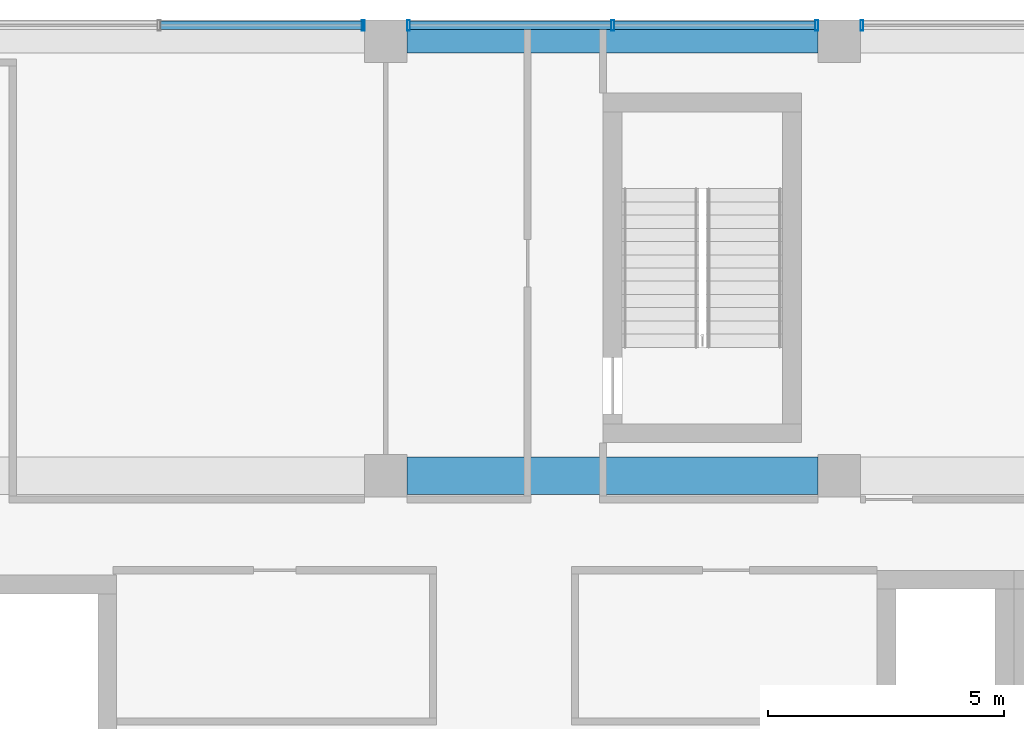
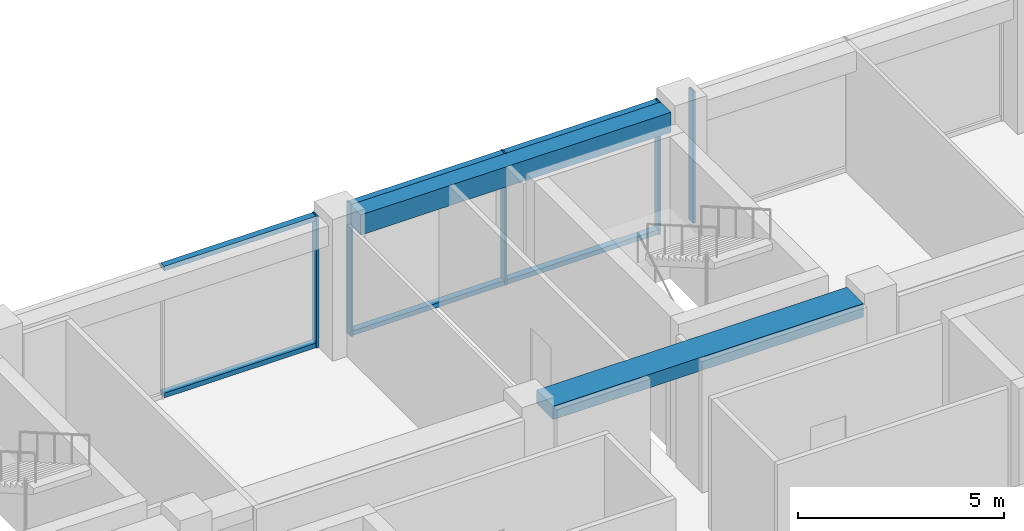
# One storey, part 23 of 38: 11 members, 2 beams, 3 elements without a shape of their own.
"""IFC4 building model written with IfcOpenShell, lengths in metres."""

from ifc_helpers import new_model, si_unit, direction, frame, origin, origin_2d, place, context, subcontext, project, spatial, rectangle, hollow_rectangle, extrude, material, layer, layer_set, material_profile, profile_set, type_object, element, aggregate, save


model = new_model("IFC4")

# Units and contexts
model_context = context("Model", 3, precision=1e-05, world=origin(), true_north=direction((0.0, 1.0)))
body_context = subcontext(model_context, "Body", "Model", "MODEL_VIEW")
ifc_project = project(units=[si_unit("LENGTHUNIT", "METRE"), si_unit("AREAUNIT", "SQUARE_METRE"), si_unit("VOLUMEUNIT", "CUBIC_METRE"), si_unit("PLANEANGLEUNIT", "RADIAN"), si_unit("MASSUNIT", "GRAM", prefix="KILO")], contexts=[model_context])

# Site, building, storey
site_placement = place(None, origin())
site = spatial("IfcSite", under=ifc_project, at=site_placement, CompositionType="ELEMENT")
building_placement = place(site_placement, origin())
building = spatial("IfcBuilding", under=site, at=building_placement, Name="Nzadi Deep Aquarium and Research Tower", CompositionType="ELEMENT")
storey_placement = place(building_placement, frame((0.0, 0.0, 48.699951171875)))
storey = spatial("IfcBuildingStorey", under=building, at=storey_placement, Name="L09", CompositionType="ELEMENT", Elevation=48.699951171875)

# Curtain wall, member
ifc_material_1 = material(Name="Aluminium unitised frame deep", Category="aluminium")
ifc_layer = layer(ifc_material_1, 0.22509765625)
ifc_layer_set = layer_set([ifc_layer], Name="Aluminium unitised frame deep")
curtain_wall_type = type_object("IfcCurtainWallType", Name="Curtain wall Unitised Deep 225", PredefinedType="NOTDEFINED", material=ifc_layer_set)
curtain_wall_1_placement = place(storey_placement, origin())
curtain_wall_1 = element("IfcCurtainWall", 1, at=curtain_wall_1_placement, inside=storey, type_object=curtain_wall_type, Name="Unitised curtain wall blade B north L09", PredefinedType="NOTDEFINED")
ifc_material_2 = material(Name="Aluminium unitised frame deep", Category="aluminium")
ifc_material_profile_1 = material_profile(ifc_material_2, hollow_rectangle(XDim=0.22509765625, YDim=0.06005859375, WallThickness=0.0048828125, at=origin_2d()))
ifc_profile_set_1 = profile_set([ifc_material_profile_1], Name="Aluminium unitised frame deep")
member_type_1 = type_object("IfcMemberType", Name="Mullion 60x225 Unitised Deep", PredefinedType="MULLION", material=ifc_profile_set_1)
member_1_placement = place(storey_placement, frame((18.719970703125, 46.33740234375, 0.0), z_axis=(0.0, 0.0, 1.0), x_axis=(0.0, 1.0, 0.0)))
member_1 = element("IfcMember", 2, at=member_1_placement, type_object=member_type_1, Name="CW124 mullion 3", PredefinedType="MULLION", context=body_context, shape_type="SweptSolid", body=[
    extrude(hollow_rectangle(XDim=0.22509765625, YDim=0.06005859375, WallThickness=0.0048828125, at=origin_2d()), origin(), (0.0, 0.0, 1.0), 3.900146484375),
])

# Curtain wall, members
curtain_wall_2_placement = place(storey_placement, origin())
curtain_wall_2 = element("IfcCurtainWall", 3, at=curtain_wall_2_placement, inside=storey, type_object=curtain_wall_type, Name="Unitised curtain wall blade B north L09", PredefinedType="NOTDEFINED")
member_2_placement = place(storey_placement, frame((19.679931640625, 46.33740234375, 0.0), z_axis=(0.0, 0.0, 1.0), x_axis=(0.0, 1.0, 0.0)))
member_2 = element("IfcMember", 4, at=member_2_placement, type_object=member_type_1, Name="CW125 mullion 1", PredefinedType="MULLION", context=body_context, shape_type="SweptSolid", body=[
    extrude(hollow_rectangle(XDim=0.22509765625, YDim=0.06005859375, WallThickness=0.0048828125, at=origin_2d()), origin(), (0.0, 0.0, 1.0), 3.900146484375),
])
member_3_placement = place(storey_placement, frame((24.0, 46.33740234375, 0.0), z_axis=(0.0, 0.0, 1.0), x_axis=(0.0, 1.0, 0.0)))
member_3 = element("IfcMember", 5, at=member_3_placement, type_object=member_type_1, Name="CW125 mullion 2", PredefinedType="MULLION", context=body_context, shape_type="SweptSolid", body=[
    extrude(hollow_rectangle(XDim=0.22509765625, YDim=0.06005859375, WallThickness=0.0048828125, at=origin_2d()), origin(), (0.0, 0.0, 1.0), 3.900146484375),
])
member_4_placement = place(storey_placement, frame((28.320068359375, 46.33740234375, 0.0), z_axis=(0.0, 0.0, 1.0), x_axis=(0.0, 1.0, 0.0)))
member_4 = element("IfcMember", 6, at=member_4_placement, type_object=member_type_1, Name="CW125 mullion 3", PredefinedType="MULLION", context=body_context, shape_type="SweptSolid", body=[
    extrude(hollow_rectangle(XDim=0.22509765625, YDim=0.06005859375, WallThickness=0.0048828125, at=origin_2d()), origin(), (0.0, 0.0, 1.0), 3.900146484375),
])

# Curtain wall, member
curtain_wall_3_placement = place(storey_placement, origin())
curtain_wall_3 = element("IfcCurtainWall", 7, at=curtain_wall_3_placement, inside=storey, type_object=curtain_wall_type, Name="Unitised curtain wall blade B north L09", PredefinedType="NOTDEFINED")
member_5_placement = place(storey_placement, frame((29.280029296875, 46.33740234375, 0.0), z_axis=(0.0, 0.0, 1.0), x_axis=(0.0, 1.0, 0.0)))
member_5 = element("IfcMember", 8, at=member_5_placement, type_object=member_type_1, Name="CW126 mullion 1", PredefinedType="MULLION", context=body_context, shape_type="SweptSolid", body=[
    extrude(hollow_rectangle(XDim=0.22509765625, YDim=0.06005859375, WallThickness=0.0048828125, at=origin_2d()), origin(), (0.0, 0.0, 1.0), 3.900146484375),
])
aggregate(curtain_wall_3, [member_5])

# Beams
ifc_material_3 = material(Name="Concrete C35/45", Category="concrete")
ifc_material_profile_2 = material_profile(ifc_material_3, rectangle(XDim=0.5, YDim=0.60009765625, at=origin_2d()))
ifc_profile_set_2 = profile_set([ifc_material_profile_2], Name="Concrete C35/45")
beam_type_1 = type_object("IfcBeamType", Name="RC 500x600", PredefinedType="BEAM", material=ifc_profile_set_2)
beam_1_placement = place(storey_placement, frame((19.64990234375, 46.0, 3.60009765625), z_axis=(1.0, 0.0, 0.0), x_axis=(0.0, 1.0, 0.0)))
element("IfcBeam", 9, at=beam_1_placement, inside=storey, type_object=beam_type_1, Name="B-Z1-L09-L6-3", PredefinedType="BEAM", context=body_context, shape_type="SweptSolid", body=[
    extrude(rectangle(XDim=0.5, YDim=0.60009765625, at=origin_2d()), origin(), (0.0, 0.0, 1.0), 8.7001953125),
])
ifc_material_4 = material(Name="Concrete C35/45", Category="concrete")
ifc_material_profile_3 = material_profile(ifc_material_4, rectangle(XDim=0.800048828125, YDim=0.39990234375, at=origin_2d()))
ifc_profile_set_3 = profile_set([ifc_material_profile_3], Name="Concrete C35/45")
beam_type_2 = type_object("IfcBeamType", Name="RC 800x400", PredefinedType="BEAM", material=ifc_profile_set_3)
beam_2_placement = place(storey_placement, frame((19.64990234375, 36.800048828125, 3.699951171875), z_axis=(1.0, 0.0, 0.0), x_axis=(0.0, 1.0, 0.0)))
element("IfcBeam", 10, at=beam_2_placement, inside=storey, type_object=beam_type_2, Name="B-Z1-L09-L5-3", PredefinedType="BEAM", context=body_context, shape_type="SweptSolid", body=[
    extrude(rectangle(XDim=0.800048828125, YDim=0.39990234375, at=origin_2d()), origin(), (0.0, 0.0, 1.0), 8.7001953125),
])

# Member
ifc_material_5 = material(Name="Aluminium unitised frame deep", Category="aluminium")
ifc_material_profile_4 = material_profile(ifc_material_5, hollow_rectangle(XDim=0.179931640625, YDim=0.139892578125, WallThickness=0.0048828125, at=origin_2d()))
ifc_profile_set_4 = profile_set([ifc_material_profile_4], Name="Aluminium unitised frame deep")
member_type_2 = type_object("IfcMemberType", Name="Transom 140x180 Unitised Deep", PredefinedType="MULLION", material=ifc_profile_set_4)
member_6_placement = place(storey_placement, frame((14.429931640625, 46.33740234375, 0.070068359375), z_axis=(1.0, 0.0, 0.0), x_axis=(0.0, 1.0, 0.0)))
member_6 = element("IfcMember", 11, at=member_6_placement, type_object=member_type_2, Name="CW124 transom 2.1", PredefinedType="MULLION", context=body_context, shape_type="SweptSolid", body=[
    extrude(hollow_rectangle(XDim=0.179931640625, YDim=0.139892578125, WallThickness=0.0048828125, at=origin_2d()), origin(), (0.0, 0.0, 1.0), 4.260009765625),
])

member_7_placement = place(storey_placement, frame((14.429931640625, 46.33740234375, 3.830078125), z_axis=(1.0, 0.0, 0.0), x_axis=(0.0, 1.0, 0.0)))
member_7 = element("IfcMember", 12, at=member_7_placement, type_object=member_type_2, Name="CW124 transom 2.2", PredefinedType="MULLION", context=body_context, shape_type="SweptSolid", body=[
    extrude(hollow_rectangle(XDim=0.179931640625, YDim=0.139892578125, WallThickness=0.0048828125, at=origin_2d()), origin(), (0.0, 0.0, 1.0), 4.260009765625),
])

aggregate(curtain_wall_1, [member_1, member_6, member_7])

member_8_placement = place(storey_placement, frame((19.7099609375, 46.33740234375, 0.070068359375), z_axis=(1.0, 0.0, 0.0), x_axis=(0.0, 1.0, 0.0)))
member_8 = element("IfcMember", 13, at=member_8_placement, type_object=member_type_2, Name="CW125 transom 1.1", PredefinedType="MULLION", context=body_context, shape_type="SweptSolid", body=[
    extrude(hollow_rectangle(XDim=0.179931640625, YDim=0.139892578125, WallThickness=0.0048828125, at=origin_2d()), origin(), (0.0, 0.0, 1.0), 4.260009765625),
])

member_9_placement = place(storey_placement, frame((19.7099609375, 46.33740234375, 3.830078125), z_axis=(1.0, 0.0, 0.0), x_axis=(0.0, 1.0, 0.0)))
member_9 = element("IfcMember", 14, at=member_9_placement, type_object=member_type_2, Name="CW125 transom 1.2", PredefinedType="MULLION", context=body_context, shape_type="SweptSolid", body=[
    extrude(hollow_rectangle(XDim=0.179931640625, YDim=0.139892578125, WallThickness=0.0048828125, at=origin_2d()), origin(), (0.0, 0.0, 1.0), 4.260009765625),
])

member_10_placement = place(storey_placement, frame((24.030029296875, 46.33740234375, 0.070068359375), z_axis=(1.0, 0.0, 0.0), x_axis=(0.0, 1.0, 0.0)))
member_10 = element("IfcMember", 15, at=member_10_placement, type_object=member_type_2, Name="CW125 transom 2.1", PredefinedType="MULLION", context=body_context, shape_type="SweptSolid", body=[
    extrude(hollow_rectangle(XDim=0.179931640625, YDim=0.139892578125, WallThickness=0.0048828125, at=origin_2d()), origin(), (0.0, 0.0, 1.0), 4.260009765625),
])

member_11_placement = place(storey_placement, frame((24.030029296875, 46.33740234375, 3.830078125), z_axis=(1.0, 0.0, 0.0), x_axis=(0.0, 1.0, 0.0)))
member_11 = element("IfcMember", 16, at=member_11_placement, type_object=member_type_2, Name="CW125 transom 2.2", PredefinedType="MULLION", context=body_context, shape_type="SweptSolid", body=[
    extrude(hollow_rectangle(XDim=0.179931640625, YDim=0.139892578125, WallThickness=0.0048828125, at=origin_2d()), origin(), (0.0, 0.0, 1.0), 4.260009765625),
])

aggregate(curtain_wall_2, [member_2, member_3, member_4, member_8, member_9, member_10, member_11])

save(model, "model.ifc")
